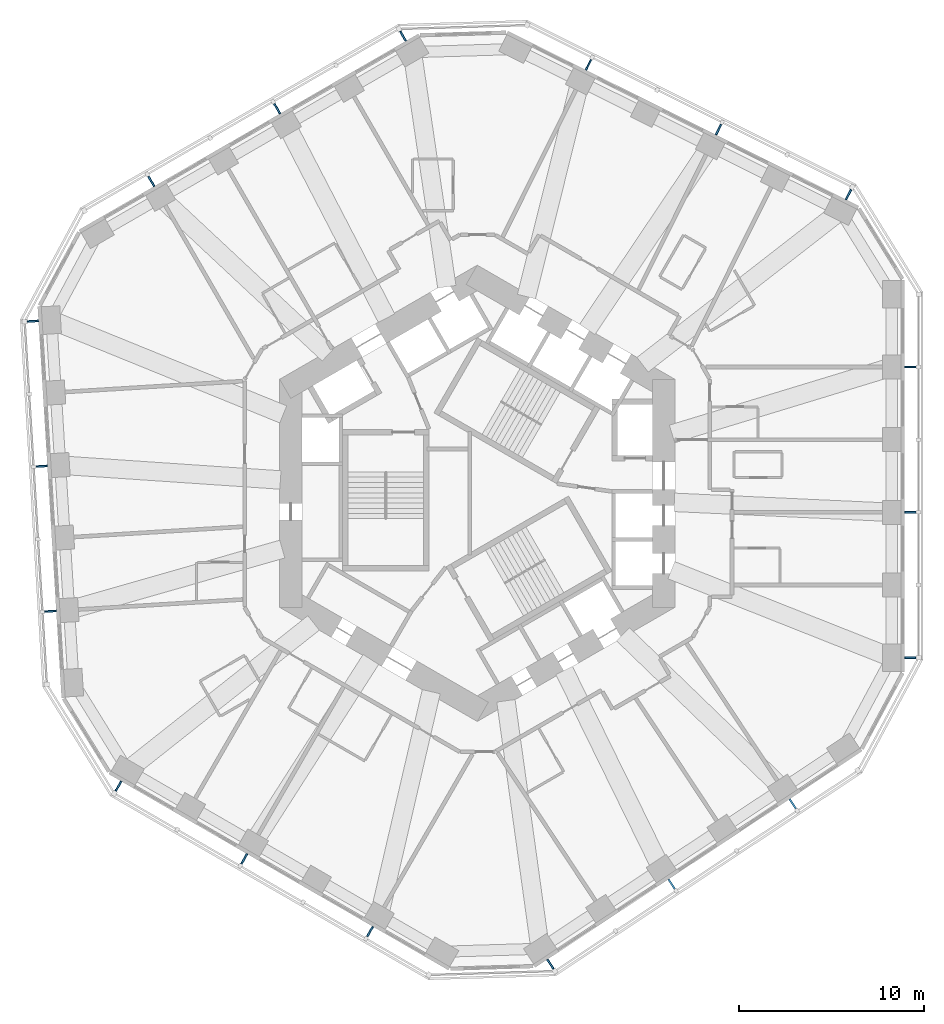
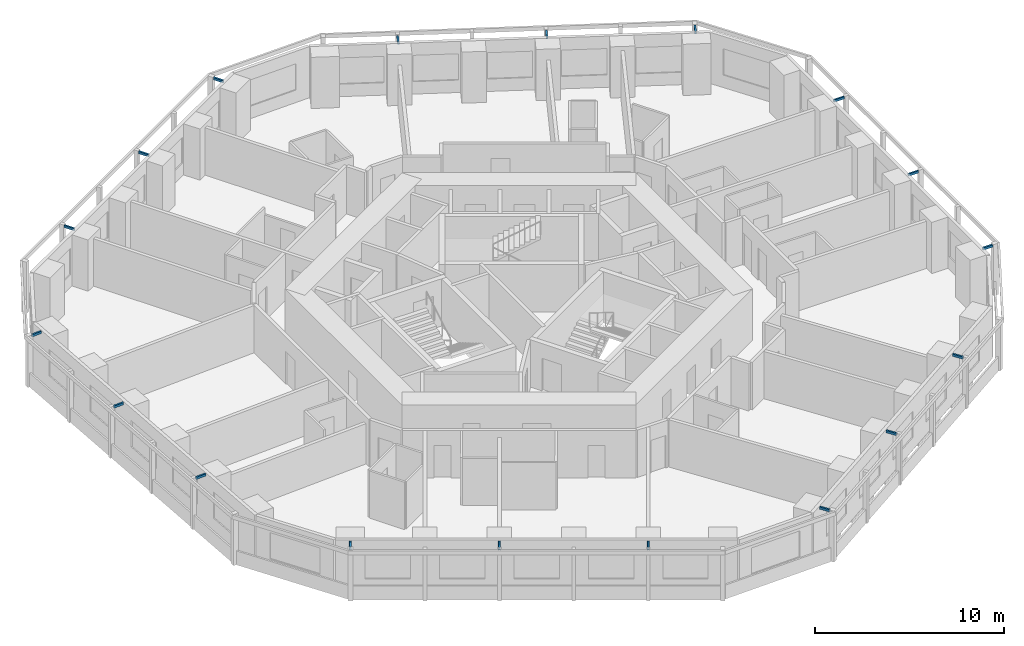
# One storey, part 11 of 12: 18 discrete accessories.
"""IFC4 building model written with IfcOpenShell, lengths in metres."""

from ifc_helpers import new_model, si_unit, direction, frame, origin, origin_2d, place, context, subcontext, project, spatial, rectangle, extrude, material, type_object, element, save


model = new_model("IFC4")

# Units and contexts
model_context = context("Model", 3, precision=1e-05, world=origin(), true_north=direction((0.0, 1.0)))
body_context = subcontext(model_context, "Body", "Model", "MODEL_VIEW")
ifc_project = project(units=[si_unit("LENGTHUNIT", "METRE"), si_unit("AREAUNIT", "SQUARE_METRE"), si_unit("VOLUMEUNIT", "CUBIC_METRE"), si_unit("PLANEANGLEUNIT", "RADIAN"), si_unit("MASSUNIT", "GRAM", prefix="KILO")], contexts=[model_context])

# Site, building, storey
site_placement = place(None, origin())
site = spatial("IfcSite", under=ifc_project, at=site_placement, CompositionType="ELEMENT")
building_placement = place(site_placement, origin())
building = spatial("IfcBuilding", under=site, at=building_placement, Name="Vanh Sen Convention Tower", CompositionType="ELEMENT")
storey_placement = place(building_placement, frame((0.0, 0.0, 50.60009765625)))
storey = spatial("IfcBuildingStorey", under=building, at=storey_placement, Name="L09", CompositionType="ELEMENT", Elevation=50.60009765625)

# Discrete accessories
ifc_material = material(Name="Steel S355", Category="steel")
discrete_accessory_type = type_object("IfcDiscreteAccessoryType", Name="Fin bracket 100 x 150", PredefinedType="BRACKET", material=ifc_material)
discrete_accessory_1_placement = place(storey_placement, frame((23.449951171875, -8.899169921875, 3.099853515625), z_axis=(0.0, 0.0, 1.0), x_axis=(1.0, 0.0, 0.0)))
element("IfcDiscreteAccessory", 1, at=discrete_accessory_1_placement, inside=storey, type_object=discrete_accessory_type, Name="Fin bracket E-1 L09", PredefinedType="BRACKET", context=body_context, shape_type="SweptSolid", body=[
    extrude(rectangle(XDim=0.60009765625, YDim=0.10009765625, at=origin_2d()), origin(), (0.0, 0.0, 1.0), 0.14990234375),
])
for number, where, z_axis, x_axis, name in (
    (2, (23.46240234375, -1.030029296875, 3.099853515625), (0.0, 0.0, 1.0), (1.0, 0.0, 0.0), "Fin bracket E-3 L09"),
    (3, (23.46240234375, 6.839111328125, 3.099853515625), (0.0, 0.0, 1.0), (1.0, 0.0, 0.0), "Fin bracket E-5 L09"),
):
    element("IfcDiscreteAccessory", number, at=place(storey_placement, frame(where, z_axis=z_axis, x_axis=x_axis)), inside=storey, type_object=discrete_accessory_type, Name=name, PredefinedType="BRACKET", context=body_context, shape_type="SweptSolid", body=[
        extrude(rectangle(XDim=0.625, YDim=0.10009765625, at=origin_2d()), origin(), (0.0, 0.0, 1.0), 0.14990234375),
    ])
discrete_accessory_2_placement = place(storey_placement, frame((20.10498046875, 16.178955078125, 3.099853515625), z_axis=(0.0, 0.0, 1.0), x_axis=(0.44619781311, 0.894934361602, 0.0)))
element("IfcDiscreteAccessory", 4, at=discrete_accessory_2_placement, inside=storey, type_object=discrete_accessory_type, Name="Fin bracket NE-1 L09", PredefinedType="BRACKET", context=body_context, shape_type="SweptSolid", body=[
    extrude(rectangle(XDim=0.60009765625, YDim=0.10009765625, at=origin_2d()), origin(), (0.0, 0.0, 1.0), 0.14990234375),
])
for number, where, z_axis, x_axis, name in (
    (5, (13.068359375, 19.701416015625, 3.099853515625), (0.0, 0.0, 1.0), (0.44619781311, 0.894934361602, 0.0), "Fin bracket NE-3 L09"),
    (6, (6.02587890625, 23.212646484375, 3.099853515625), (0.0, 0.0, 1.0), (0.44619781311, 0.894934361602, 0.0), "Fin bracket NE-5 L09"),
):
    element("IfcDiscreteAccessory", number, at=place(storey_placement, frame(where, z_axis=z_axis, x_axis=x_axis)), inside=storey, type_object=discrete_accessory_type, Name=name, PredefinedType="BRACKET", context=body_context, shape_type="SweptSolid", body=[
        extrude(rectangle(XDim=0.625, YDim=0.10009765625, at=origin_2d()), origin(), (0.0, 0.0, 1.0), 0.14990234375),
    ])
discrete_accessory_3_placement = place(storey_placement, frame((-4.01806640625, 24.7578125, 3.099853515625), z_axis=(0.0, 0.0, 1.0), x_axis=(-0.5, 0.866025403784, 0.0)))
element("IfcDiscreteAccessory", 7, at=discrete_accessory_3_placement, inside=storey, type_object=discrete_accessory_type, Name="Fin bracket NW-1 L09", PredefinedType="BRACKET", context=body_context, shape_type="SweptSolid", body=[
    extrude(rectangle(XDim=0.60009765625, YDim=0.10009765625, at=origin_2d()), origin(), (0.0, 0.0, 1.0), 0.14990234375),
])
for number, where, z_axis, x_axis, name in (
    (8, (-10.839111328125, 20.834228515625, 3.099853515625), (0.0, 0.0, 1.0), (-0.5, 0.866025403784, 0.0), "Fin bracket NW-3 L09"),
    (9, (-17.654296875, 16.899658203125, 3.099853515625), (0.0, 0.0, 1.0), (-0.5, 0.866025403784, 0.0), "Fin bracket NW-5 L09"),
):
    element("IfcDiscreteAccessory", number, at=place(storey_placement, frame(where, z_axis=z_axis, x_axis=x_axis)), inside=storey, type_object=discrete_accessory_type, Name=name, PredefinedType="BRACKET", context=body_context, shape_type="SweptSolid", body=[
        extrude(rectangle(XDim=0.625, YDim=0.10009765625, at=origin_2d()), origin(), (0.0, 0.0, 1.0), 0.14990234375),
    ])
discrete_accessory_4_placement = place(storey_placement, frame((-24.06396484375, 9.322021484375, 3.099853515625), z_axis=(0.0, 0.0, 1.0), x_axis=(-0.998134798422, -0.061048539535, 0.0)))
element("IfcDiscreteAccessory", 10, at=discrete_accessory_4_placement, inside=storey, type_object=discrete_accessory_type, Name="Fin bracket W-1 L09", PredefinedType="BRACKET", context=body_context, shape_type="SweptSolid", body=[
    extrude(rectangle(XDim=0.60009765625, YDim=0.10009765625, at=origin_2d()), origin(), (0.0, 0.0, 1.0), 0.14990234375),
])
for number, where, z_axis, x_axis, name in (
    (11, (-23.595947265625, 1.466796875, 3.099853515625), (0.0, 0.0, 1.0), (-0.998134798422, -0.061048539535, 0.0), "Fin bracket W-3 L09"),
    (12, (-23.115478515625, -6.3876953125, 3.099853515625), (0.0, 0.0, 1.0), (-0.998134798422, -0.061048539535, 0.0), "Fin bracket W-5 L09"),
):
    element("IfcDiscreteAccessory", number, at=place(storey_placement, frame(where, z_axis=z_axis, x_axis=x_axis)), inside=storey, type_object=discrete_accessory_type, Name=name, PredefinedType="BRACKET", context=body_context, shape_type="SweptSolid", body=[
        extrude(rectangle(XDim=0.625, YDim=0.10009765625, at=origin_2d()), origin(), (0.0, 0.0, 1.0), 0.14990234375),
    ])
discrete_accessory_5_placement = place(storey_placement, frame((-19.431884765625, -15.858642578125, 3.099853515625), z_axis=(0.0, 0.0, 1.0), x_axis=(-0.5, -0.866025403784, 0.0)))
element("IfcDiscreteAccessory", 13, at=discrete_accessory_5_placement, inside=storey, type_object=discrete_accessory_type, Name="Fin bracket SW-1 L09", PredefinedType="BRACKET", context=body_context, shape_type="SweptSolid", body=[
    extrude(rectangle(XDim=0.60009765625, YDim=0.10009765625, at=origin_2d()), origin(), (0.0, 0.0, 1.0), 0.14990234375),
])
for number, where, z_axis, x_axis, name in (
    (14, (-12.623291015625, -19.80419921875, 3.099853515625), (0.0, 0.0, 1.0), (-0.5, -0.866025403784, 0.0), "Fin bracket SW-3 L09"),
    (15, (-5.808349609375, -23.73876953125, 3.099853515625), (0.0, 0.0, 1.0), (-0.5, -0.866025403784, 0.0), "Fin bracket SW-5 L09"),
):
    element("IfcDiscreteAccessory", number, at=place(storey_placement, frame(where, z_axis=z_axis, x_axis=x_axis)), inside=storey, type_object=discrete_accessory_type, Name=name, PredefinedType="BRACKET", context=body_context, shape_type="SweptSolid", body=[
        extrude(rectangle(XDim=0.625, YDim=0.10009765625, at=origin_2d()), origin(), (0.0, 0.0, 1.0), 0.14990234375),
    ])
discrete_accessory_6_placement = place(storey_placement, frame((3.958740234375, -25.5009765625, 3.099853515625), z_axis=(0.0, 0.0, 1.0), x_axis=(0.551936985312, -0.833885822067, 0.0)))
element("IfcDiscreteAccessory", 16, at=discrete_accessory_6_placement, inside=storey, type_object=discrete_accessory_type, Name="Fin bracket SE-1 L09", PredefinedType="BRACKET", context=body_context, shape_type="SweptSolid", body=[
    extrude(rectangle(XDim=0.60009765625, YDim=0.10009765625, at=origin_2d()), origin(), (0.0, 0.0, 1.0), 0.14990234375),
])
for number, where, z_axis, x_axis, name in (
    (17, (10.527587890625, -21.168212890625, 3.099853515625), (0.0, 0.0, 1.0), (0.551936985312, -0.833885822067, 0.0), "Fin bracket SE-3 L09"),
    (18, (17.089599609375, -16.824951171875, 3.099853515625), (0.0, 0.0, 1.0), (0.551936985312, -0.833885822067, 0.0), "Fin bracket SE-5 L09"),
):
    element("IfcDiscreteAccessory", number, at=place(storey_placement, frame(where, z_axis=z_axis, x_axis=x_axis)), inside=storey, type_object=discrete_accessory_type, Name=name, PredefinedType="BRACKET", context=body_context, shape_type="SweptSolid", body=[
        extrude(rectangle(XDim=0.625, YDim=0.10009765625, at=origin_2d()), origin(), (0.0, 0.0, 1.0), 0.14990234375),
    ])

save(model, "model.ifc")
